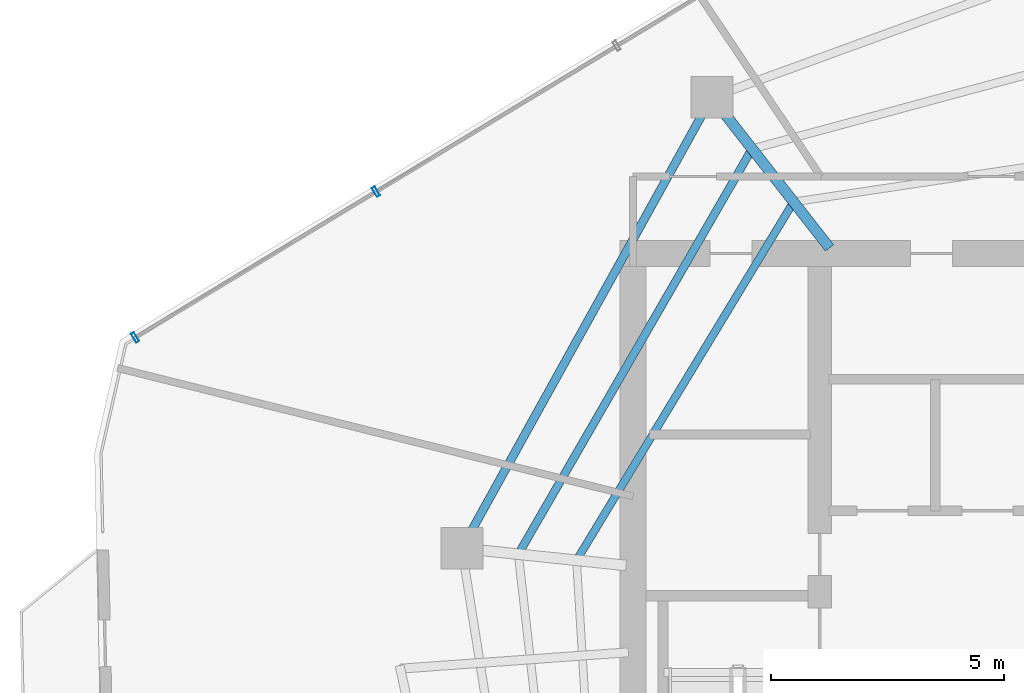
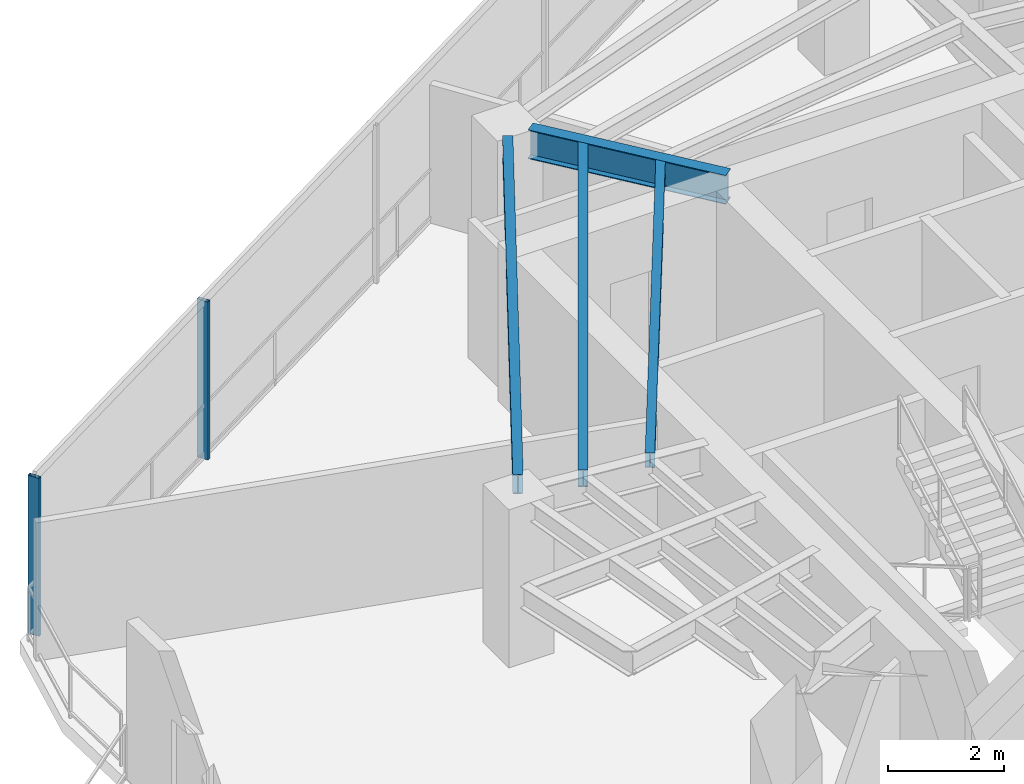
# One storey, part 5 of 19: 4 beams, 2 members, 1 element without a shape of its own.
"""IFC4 building model written with IfcOpenShell, lengths in metres."""

import ifcopenshell
import ifcopenshell.guid

model = None  # the IFC model being written
_history = None  # IfcOwnerHistory: only IFC2X3 demands one
_inside = {}  # id of a spatial element -> (the spatial element, [elements in it])
_under = {}  # id of a project, library or spatial element -> (it, [spatial elements below it])
_declared = {}  # id of a project -> (the project, [libraries it declares])
_typed = {}  # id of a type object -> (the type object, [elements of that type])
_made_of = {}  # id of a material, layer set ... -> (it, [elements and type objects made of it])


def new_model(schema):
    """Start an empty IFC model of exactly this schema.

    Asked for "IFC4X3", IfcOpenShell would pick the latest addendum, in which some entities
    have other attributes; the version numbers below select the first issue.
    IFC2X3 requires an IfcOwnerHistory on every rooted entity: one is made here for all.
    """
    global model, _history
    if schema == "IFC4X3":
        model = ifcopenshell.file(schema_version=(4, 3, 0, 0))
    else:
        model = ifcopenshell.file(schema=schema)
    _inside.clear()
    _under.clear()
    _declared.clear()
    _typed.clear()
    _made_of.clear()
    _history = None
    if model.schema == "IFC2X3":
        org = make("IfcOrganization", Name="unknown")
        user = make(
            "IfcPersonAndOrganization",
            ThePerson=make("IfcPerson", FamilyName="unknown"),
            TheOrganization=org,
        )
        app = make(
            "IfcApplication",
            ApplicationDeveloper=org,
            Version="unknown",
            ApplicationFullName="unknown",
            ApplicationIdentifier="unknown",
        )
        _history = make(
            "IfcOwnerHistory",
            OwningUser=user,
            OwningApplication=app,
            ChangeAction="ADDED",
            CreationDate=0,
        )
    return model


def make(cls, **values):
    """One entity of the class cls with the attributes given. An attribute that is None is left unset."""
    return model.create_entity(
        cls, **{name: value for name, value in values.items() if value is not None}
    )


def rooted(cls, **values):
    """An entity with a GlobalId (a new one), such as an element, a storey or a relation."""
    return make(cls, GlobalId=ifcopenshell.guid.new(), OwnerHistory=_history, **values)


def si_unit(unit_type, name, prefix=None):
    """IfcSIUnit, for example si_unit("LENGTHUNIT", "METRE", prefix="MILLI")."""
    return make("IfcSIUnit", UnitType=unit_type, Prefix=prefix, Name=name)


def assignment(units):
    """IfcUnitAssignment: the units of a project."""
    return None if units is None else make("IfcUnitAssignment", Units=units)


def point(xyz):
    """IfcCartesianPoint."""
    return None if xyz is None else make("IfcCartesianPoint", Coordinates=xyz)


def direction(xyz):
    """IfcDirection."""
    return None if xyz is None else make("IfcDirection", DirectionRatios=xyz)


def frame(location, z_axis=None, x_axis=None):
    """IfcAxis2Placement3D, a coordinate frame: its origin and axes. An axis left out is left unset."""
    return make(
        "IfcAxis2Placement3D",
        Location=point(location),
        Axis=direction(z_axis),
        RefDirection=direction(x_axis),
    )


def frame_2d(location, x_axis=None):
    """IfcAxis2Placement2D, a coordinate frame in the plane: its origin and x axis."""
    return make(
        "IfcAxis2Placement2D", Location=point(location), RefDirection=direction(x_axis)
    )


def origin():
    """The frame at (0, 0, 0) with its axes left unset."""
    return frame((0.0, 0.0, 0.0))


def origin_2d():
    """The frame at (0, 0) in the plane with its x axis left unset."""
    return frame_2d((0.0, 0.0))


def place(relative_to, where):
    """IfcLocalPlacement: puts the frame where relative to a parent placement (None: the world)."""
    return make(
        "IfcLocalPlacement", PlacementRelTo=relative_to, RelativePlacement=where
    )


def context(
    kind, dimensions, precision=None, world=None, true_north=None, identifier=None
):
    """IfcGeometricRepresentationContext, for example the 3D "Model" context."""
    return make(
        "IfcGeometricRepresentationContext",
        ContextIdentifier=identifier,
        ContextType=kind,
        CoordinateSpaceDimension=dimensions,
        Precision=precision,
        WorldCoordinateSystem=world,
        TrueNorth=true_north,
    )


def subcontext(parent, identifier, kind, view, scale=None):
    """IfcGeometricRepresentationSubContext, for example "Body" below "Model"."""
    return make(
        "IfcGeometricRepresentationSubContext",
        ContextIdentifier=identifier,
        ContextType=kind,
        ParentContext=parent,
        TargetScale=scale,
        TargetView=view,
    )


def project(units=None, contexts=None):
    """IfcProject with its units and contexts."""
    return rooted(
        "IfcProject",
        Name="project",
        RepresentationContexts=contexts,
        UnitsInContext=assignment(units),
    )


def spatial(cls, under=None, at=None, **own):
    """A site, building, storey or space (cls), placed at a placement, below another one or the project."""
    s = rooted(cls, ObjectPlacement=at, **own)
    if under is not None:
        _under.setdefault(under.id(), (under, []))[1].append(s)
    return s


def profile(cls, at=None, kind="AREA", **sizes):
    """A parametric profile (cls). Its sizes go by their IFC names, for example OverallWidth=200.0."""
    return make(cls, ProfileType=kind, Position=at, **sizes)


def hollow_rectangle(**sizes):
    """IfcRectangleHollowProfileDef."""
    return profile("IfcRectangleHollowProfileDef", **sizes)


def i_section(**sizes):
    """IfcIShapeProfileDef."""
    return profile("IfcIShapeProfileDef", **sizes)


def extrude(swept, where, along, depth):
    """IfcExtrudedAreaSolid: the profile swept, set in the frame where, extruded along a direction by depth."""
    return make(
        "IfcExtrudedAreaSolid",
        SweptArea=swept,
        Position=where,
        ExtrudedDirection=direction(along),
        Depth=depth,
    )


def shape(context_of_items, identifier, shape_type, items):
    """IfcShapeRepresentation: the items that make up one representation, for example the "Body"."""
    return make(
        "IfcShapeRepresentation",
        ContextOfItems=context_of_items,
        RepresentationIdentifier=identifier,
        RepresentationType=shape_type,
        Items=items,
    )


def material(Name=None, Category=None):
    """IfcMaterial."""
    return make("IfcMaterial", Name=Name, Category=Category)


def layer(
    of_material, thickness, ventilated=None, Name=None, Category=None, Priority=None
):
    """IfcMaterialLayer: one layer of a wall or slab, of a material (None: an air gap)."""
    return make(
        "IfcMaterialLayer",
        Material=of_material,
        LayerThickness=thickness,
        IsVentilated=ventilated,
        Name=Name,
        Category=Category,
        Priority=Priority,
    )


def layer_set(layers, Name=None):
    """IfcMaterialLayerSet."""
    return make("IfcMaterialLayerSet", MaterialLayers=layers, LayerSetName=Name)


def material_profile(
    of_material, cross_section, Name=None, Category=None, Priority=None
):
    """IfcMaterialProfile: a cross section and its material."""
    return make(
        "IfcMaterialProfile",
        Name=Name,
        Material=of_material,
        Profile=cross_section,
        Priority=Priority,
        Category=Category,
    )


def profile_set(profiles, Name=None, composite=None):
    """IfcMaterialProfileSet."""
    return make(
        "IfcMaterialProfileSet",
        Name=Name,
        MaterialProfiles=profiles,
        CompositeProfile=composite,
    )


def made_of(thing, what):
    """Note that an element or type object is made of a material, layer set ...; save() writes the relation."""
    if what is not None:
        _made_of.setdefault(what.id(), (what, []))[1].append(thing)
    return thing


def type_object(cls, material=None, **own):
    """A type object (cls), such as IfcWallType, which elements share."""
    return made_of(rooted(cls, **own), material)


def element(
    cls,
    number,
    at=None,
    inside=None,
    cuts=None,
    type_object=None,
    material=None,
    context=None,
    identifier="Body",
    shape_type=None,
    held_by="IfcProductDefinitionShape",
    body=None,
    shapes=None,
    **own,
):
    """One element of the class cls, such as IfcWall. Its Tag is "e" and its number.

    at: its placement. inside: the storey or other place that contains it. cuts: it is an
    opening in that element (IfcRelVoidsElement). A single representation is given by context,
    identifier, shape_type and body (its items); several are given by shapes. held_by: the class
    of the entity that holds the representations. save() writes the other relations.
    """
    e = rooted(cls, Tag="e%d" % number, ObjectPlacement=at, **own)
    if body is not None:
        shapes = [shape(context, identifier, shape_type, body)]
    if shapes is not None:
        e.Representation = make(held_by, Representations=shapes)
    if inside is not None:
        _inside.setdefault(inside.id(), (inside, []))[1].append(e)
    if cuts is not None:
        rooted(
            "IfcRelVoidsElement", RelatingBuildingElement=cuts, RelatedOpeningElement=e
        )
    if type_object is not None:
        _typed.setdefault(type_object.id(), (type_object, []))[1].append(e)
    return made_of(e, material)


def aggregate(whole, parts):
    """IfcRelAggregates: a whole, such as a stair, and the parts it consists of."""
    return rooted("IfcRelAggregates", RelatingObject=whole, RelatedObjects=parts)


def save(model, path):
    """Write the relations noted so far, then the file.

    IfcRelAggregates (storeys below a building ...), IfcRelContainedInSpatialStructure (elements
    in a storey), IfcRelDefinesByType, IfcRelAssociatesMaterial and IfcRelDeclares: one each for
    every whole, place, type object, material and project.
    """
    for whole, parts in _under.values():
        aggregate(whole, parts)
    for where, things in _inside.values():
        rooted(
            "IfcRelContainedInSpatialStructure",
            RelatedElements=things,
            RelatingStructure=where,
        )
    for kind, things in _typed.values():
        rooted("IfcRelDefinesByType", RelatedObjects=things, RelatingType=kind)
    for what, things in _made_of.values():
        rooted("IfcRelAssociatesMaterial", RelatedObjects=things, RelatingMaterial=what)
    for by, libraries in _declared.values():
        rooted("IfcRelDeclares", RelatingContext=by, RelatedDefinitions=libraries)
    model.write(path)


model = new_model("IFC4")

# Units and contexts
model_context = context("Model", 3, precision=1e-05, world=origin(), true_north=direction((0.0, 1.0)))
body_context = subcontext(model_context, "Body", "Model", "MODEL_VIEW")
ifc_project = project(units=[si_unit("LENGTHUNIT", "METRE"), si_unit("AREAUNIT", "SQUARE_METRE"), si_unit("VOLUMEUNIT", "CUBIC_METRE"), si_unit("PLANEANGLEUNIT", "RADIAN"), si_unit("MASSUNIT", "GRAM", prefix="KILO")], contexts=[model_context])

# Site, building, storey
site_placement = place(None, origin())
site = spatial("IfcSite", under=ifc_project, at=site_placement, CompositionType="ELEMENT")
building_placement = place(site_placement, origin())
building = spatial("IfcBuilding", under=site, at=building_placement, Name="Qarnah Convention Tower", CompositionType="ELEMENT")
storey_placement = place(building_placement, frame((0.0, 0.0, 184.199951171875)))
storey = spatial("IfcBuildingStorey", under=building, at=storey_placement, Name="L49", CompositionType="ELEMENT", Elevation=184.199951171875)

# Beams
ifc_material_1 = material(Name="Structural steel S355JR", Category="steel")
ifc_material_profile_1 = material_profile(ifc_material_1, i_section(OverallWidth=0.166015625, OverallDepth=0.31201171875, WebThickness=0.007080078125, FlangeThickness=0.010986328125, at=origin_2d()), Name="W310X45")
ifc_profile_set_1 = profile_set([ifc_material_profile_1], Name="Structural steel S355JR")
beam_type_1 = type_object("IfcBeamType", Name="BM-JST-W310", PredefinedType="JOIST", material=ifc_profile_set_1)
beam_1_placement = place(storey_placement, frame((30.195068359375, 35.22802734375, 3.1640625), z_axis=(-0.517953819746, -0.855408581095, 0.0), x_axis=(0.855408581095, -0.517953819746, 0.0)))
element("IfcBeam", 1, at=beam_1_placement, inside=storey, type_object=beam_type_1, Name="L49 joist BM-L49-IJST-04", PredefinedType="JOIST", context=body_context, shape_type="SweptSolid", body=[
    extrude(i_section(OverallWidth=0.166015625, OverallDepth=0.31201171875, WebThickness=0.007080078125, FlangeThickness=0.010986328125, at=origin_2d()), origin(), (0.0, 0.0, 1.0), 8.803955078125),
])
ifc_material_profile_2 = material_profile(ifc_material_1, i_section(OverallWidth=0.172119140625, OverallDepth=0.35595703125, WebThickness=0.007080078125, FlangeThickness=0.011962890625, at=origin_2d()), Name="W360X51")
ifc_profile_set_2 = profile_set([ifc_material_profile_2], Name="Structural steel S355JR")
beam_type_2 = type_object("IfcBeamType", Name="BM-JST-W360", PredefinedType="JOIST", material=ifc_profile_set_2)
beam_2_placement = place(storey_placement, frame((29.306884765625, 36.365966796875, 3.14208984375), z_axis=(-0.499518662922, -0.866303125582, 0.0), x_axis=(0.866303125582, -0.499518662922, 0.0)))
element("IfcBeam", 2, at=beam_2_placement, inside=storey, type_object=beam_type_2, Name="L49 joist BM-L49-SJST-04", PredefinedType="JOIST", context=body_context, shape_type="SweptSolid", body=[
    extrude(i_section(OverallWidth=0.172119140625, OverallDepth=0.35595703125, WebThickness=0.007080078125, FlangeThickness=0.011962890625, at=origin_2d()), origin(), (0.0, 0.0, 1.0), 9.853271484375),
])
ifc_material_profile_3 = material_profile(ifc_material_1, i_section(OverallWidth=0.22802734375, OverallDepth=0.60791015625, WebThickness=0.010986328125, FlangeThickness=0.01708984375, at=origin_2d()), Name="W610X113")
ifc_profile_set_3 = profile_set([ifc_material_profile_3], Name="Structural steel S355JR")
beam_type_3 = type_object("IfcBeamType", Name="BM-RAD-W610B", PredefinedType="BEAM", material=ifc_profile_set_3)
beam_3_placement = place(storey_placement, frame((31.013916015625, 34.318115234375, 3.01611328125), z_axis=(-0.615807906571, 0.787896327066, 0.0), x_axis=(-0.787896327066, -0.615807906571, 0.0)))
element("IfcBeam", 3, at=beam_3_placement, inside=storey, type_object=beam_type_3, Name="L49 beam BM-L49-RAD-04", PredefinedType="BEAM", context=body_context, shape_type="SweptSolid", body=[
    extrude(i_section(OverallWidth=0.22802734375, OverallDepth=0.60791015625, WebThickness=0.010986328125, FlangeThickness=0.01708984375, at=origin_2d()), origin(), (0.0, 0.0, 1.0), 3.671630859375),
])
ifc_material_profile_4 = material_profile(ifc_material_1, i_section(OverallWidth=0.179931640625, OverallDepth=0.39990234375, WebThickness=0.009033203125, FlangeThickness=0.013916015625, at=origin_2d()), Name="IPE400")
ifc_profile_set_4 = profile_set([ifc_material_profile_4], Name="Structural steel S355JR")
beam_type_4 = type_object("IfcBeamType", Name="BM-SPN-IPE400", PredefinedType="SPANDREL", material=ifc_profile_set_4)
beam_4_placement = place(storey_placement, frame((28.27490234375, 37.1650390625, 3.1201171875), z_axis=(-0.48479945923, -0.874625339406, 0.0), x_axis=(0.874625339406, -0.48479945923, 0.0)))
element("IfcBeam", 4, at=beam_4_placement, inside=storey, type_object=beam_type_4, Name="L49 spandrel BM-L49-SPN-04", PredefinedType="SPANDREL", context=body_context, shape_type="SweptSolid", body=[
    extrude(i_section(OverallWidth=0.179931640625, OverallDepth=0.39990234375, WebThickness=0.009033203125, FlangeThickness=0.013916015625, at=origin_2d()), origin(), (0.0, 0.0, 1.0), 10.177001953125),
])

# Curtain wall, members
ifc_material_2 = material(Name="Tempered Low-E dark glass", Category="glass")
ifc_layer = layer(ifc_material_2, 0.174072265625)
ifc_layer_set = layer_set([ifc_layer], Name="Tempered Low-E dark glass")
curtain_wall_type = type_object("IfcCurtainWallType", Name="CWS-04", PredefinedType="NOTDEFINED", material=ifc_layer_set)
curtain_wall_placement = place(storey_placement, origin())
curtain_wall = element("IfcCurtainWall", 5, at=curtain_wall_placement, inside=storey, type_object=curtain_wall_type, Name="L49 unitised curtain wall CW-L49-F2", PredefinedType="NOTDEFINED")
ifc_material_3 = material(Name="Black anodised aluminium", Category="aluminium")
ifc_material_profile_5 = material_profile(ifc_material_3, hollow_rectangle(XDim=0.074951171875, YDim=0.219970703125, WallThickness=0.0048828125, at=origin_2d()), Name="MUL-75X220")
ifc_profile_set_5 = profile_set([ifc_material_profile_5], Name="Black anodised aluminium")
member_type = type_object("IfcMemberType", Name="MUL-T4", PredefinedType="MULLION", material=ifc_profile_set_5)
member_1_placement = place(storey_placement, frame((16.12109375, 32.39892578125, 0.0), z_axis=(0.0, 0.0, 1.0), x_axis=(0.855384204583, 0.517994075786, 0.0)))
member_1 = element("IfcMember", 6, at=member_1_placement, type_object=member_type, Name="CW-L49-F2 mullion 1", PredefinedType="MULLION", context=body_context, shape_type="SweptSolid", body=[
    extrude(hollow_rectangle(XDim=0.074951171875, YDim=0.219970703125, WallThickness=0.0048828125, at=origin_2d()), origin(), (0.0, 0.0, 1.0), 3.320068359375),
])
member_2_placement = place(storey_placement, frame((21.285400390625, 35.5263671875, 0.0), z_axis=(0.0, 0.0, 1.0), x_axis=(0.855384204583, 0.517994075786, 0.0)))
member_2 = element("IfcMember", 7, at=member_2_placement, type_object=member_type, Name="CW-L49-F2 mullion 2", PredefinedType="MULLION", context=body_context, shape_type="SweptSolid", body=[
    extrude(hollow_rectangle(XDim=0.074951171875, YDim=0.219970703125, WallThickness=0.0048828125, at=origin_2d()), origin(), (0.0, 0.0, 1.0), 3.320068359375),
])
aggregate(curtain_wall, [member_1, member_2])

save(model, "model.ifc")
